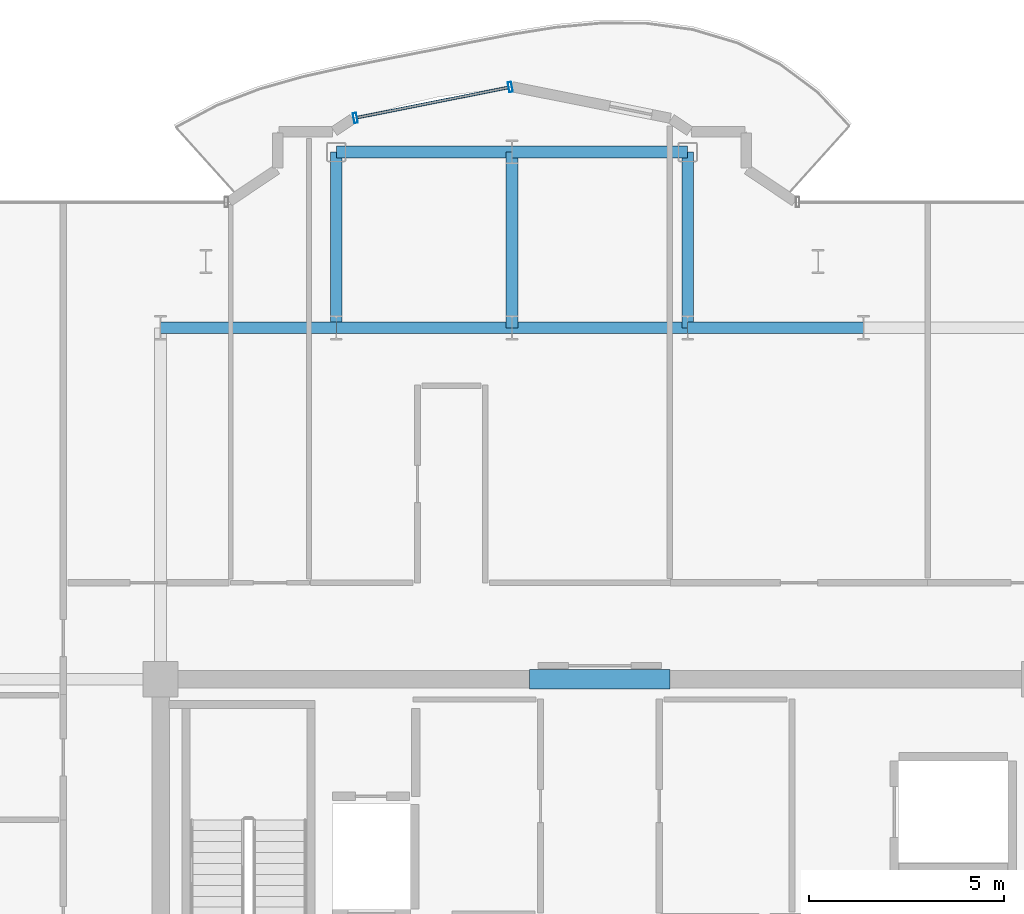
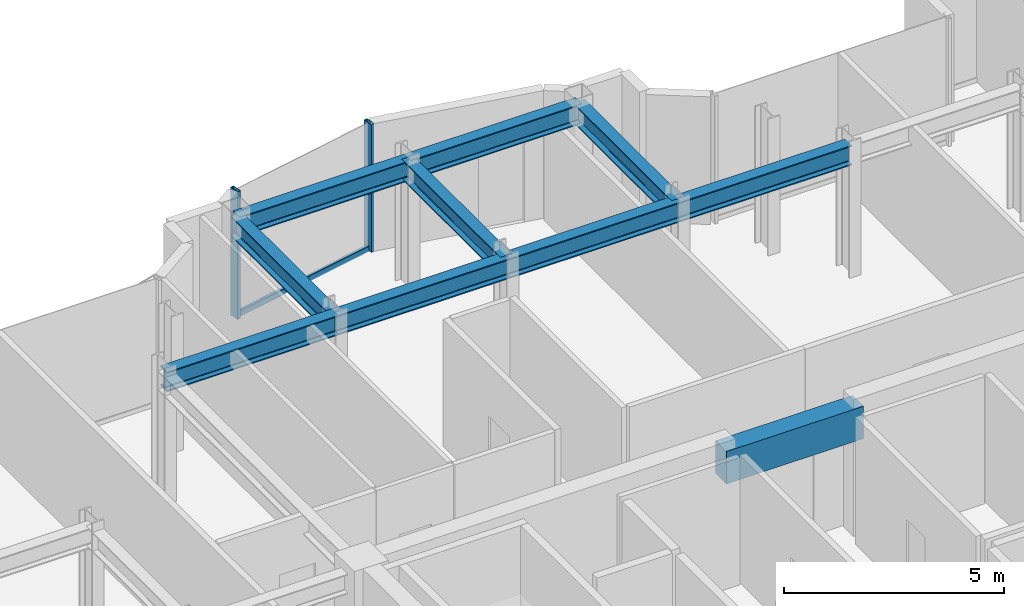
# One storey, part 10 of 18: 10 beams, 3 members, 1 element without a shape of its own.
"""IFC4 building model written with IfcOpenShell, lengths in metres."""

from ifc_helpers import new_model, si_unit, direction, frame, origin, origin_2d, place, context, subcontext, project, spatial, rectangle, hollow_rectangle, i_section, extrude, source, transform, mapped, material, layer, layer_set, material_profile, profile_set, type_object, element, aggregate, save


model = new_model("IFC4")

# Units and contexts
model_context = context("Model", 3, precision=1e-05, world=origin(), true_north=direction((0.0, 1.0)))
body_context = subcontext(model_context, "Body", "Model", "MODEL_VIEW")
ifc_project = project(units=[si_unit("LENGTHUNIT", "METRE"), si_unit("AREAUNIT", "SQUARE_METRE"), si_unit("VOLUMEUNIT", "CUBIC_METRE"), si_unit("PLANEANGLEUNIT", "RADIAN"), si_unit("MASSUNIT", "GRAM", prefix="KILO")], contexts=[model_context])

# Site, building, storey
site_placement = place(None, origin())
site = spatial("IfcSite", under=ifc_project, at=site_placement, CompositionType="ELEMENT")
building_placement = place(site_placement, origin())
building = spatial("IfcBuilding", under=site, at=building_placement, Name="Nefas-Gora Pilgrimage Tower", CompositionType="ELEMENT")
storey_placement = place(building_placement, frame((0.0, 0.0, 302.60009765625)))
storey = spatial("IfcBuildingStorey", under=building, at=storey_placement, Name="L76", CompositionType="ELEMENT", Elevation=302.60009765625)

# Beams
ifc_material_1 = material(Name="Concrete C50/60", Category="concrete")
ifc_material_profile_1 = material_profile(ifc_material_1, rectangle(XDim=0.5, YDim=0.89990234375, at=origin_2d()), Name="RC 500x900")
ifc_profile_set_1 = profile_set([ifc_material_profile_1], Name="Concrete C50/60")
beam_type_1 = type_object("IfcBeamType", Name="BM-LIN-RC900", PredefinedType="LINTEL", material=ifc_profile_set_1)
shared_shape_1 = source(origin(), body_context, "Body", "SweptSolid", [
    extrude(rectangle(XDim=0.5, YDim=0.89990234375, at=origin_2d()), origin(), (0.0, 0.0, 1.0), 3.60009765625),
])
beam_placement = place(storey_placement, frame((-1.800048828125, 9.0, 3.099853515625), z_axis=(1.0, 0.0, 0.0), x_axis=(0.0, 1.0, 0.0)))
element("IfcBeam", 1, at=beam_placement, inside=storey, type_object=beam_type_1, Name="L76 Core Coupling Lintel Beam N", PredefinedType="LINTEL", context=body_context, shape_type="MappedRepresentation", body=[
    mapped(shared_shape_1, transform((0.0, 0.0, 0.0), x_axis=(1.0, 0.0, 0.0), y_axis=(0.0, 1.0, 0.0), z_axis=(0.0, 0.0, 1.0), scale=1.0)),
])
ifc_material_2 = material(Name="Steel S355", Category="steel")
ifc_material_profile_2 = material_profile(ifc_material_2, i_section(OverallWidth=0.300048828125, OverallDepth=0.550048828125, WebThickness=0.014892578125, FlangeThickness=0.029052734375, FilletRadius=0.027099609375, at=origin_2d()), Name="HEB 550")
ifc_profile_set_2 = profile_set([ifc_material_profile_2], Name="Steel S355")
beam_type_2 = type_object("IfcBeamType", Name="BM-GIR-HEB550", PredefinedType="BEAM", material=ifc_profile_set_2)
shared_shape_2 = source(origin(), body_context, "Body", "SweptSolid", [
    extrude(i_section(OverallWidth=0.300048828125, OverallDepth=0.550048828125, WebThickness=0.014892578125, FlangeThickness=0.029052734375, FilletRadius=0.027099609375, at=origin_2d()), origin(), (0.0, 0.0, 1.0), 4.5),
])
for number, where, z_axis, x_axis, name in (
    (2, (-11.25, 18.0, 3.27490234375), (1.0, 0.0, 0.0), (0.0, 1.0, 0.0), "L76 G-05 beam"),
    (3, (-6.75, 18.0, 3.27490234375), (0.0, 1.0, 0.0), (-1.0, 0.0, 0.0), "L76 G-05 beam"),
    (4, (-6.75, 18.0, 3.27490234375), (1.0, 0.0, 0.0), (0.0, 1.0, 0.0), "L76 G-05 beam"),
    (5, (-6.75, 22.5, 3.27490234375), (1.0, 0.0, 0.0), (0.0, 1.0, 0.0), "L76 G-05 beam"),
    (6, (-2.25, 18.0, 3.27490234375), (0.0, 1.0, 0.0), (-1.0, 0.0, 0.0), "L76 G-05 beam"),
    (7, (-2.25, 18.0, 3.27490234375), (1.0, 0.0, 0.0), (0.0, 1.0, 0.0), "L76 G-05 beam"),
    (8, (-2.25, 22.5, 3.27490234375), (1.0, 0.0, 0.0), (0.0, 1.0, 0.0), "L76 G-05 beam"),
    (9, (2.25, 18.0, 3.27490234375), (0.0, 1.0, 0.0), (-1.0, 0.0, 0.0), "L76 G-05 beam"),
    (10, (2.25, 18.0, 3.27490234375), (1.0, 0.0, 0.0), (0.0, 1.0, 0.0), "L76 G-05 beam"),
):
    element("IfcBeam", number, at=place(storey_placement, frame(where, z_axis=z_axis, x_axis=x_axis)), inside=storey, type_object=beam_type_2, Name=name, PredefinedType="BEAM", context=body_context, shape_type="MappedRepresentation", body=[
        mapped(shared_shape_2, transform((0.0, 0.0, 0.0), x_axis=(1.0, 0.0, 0.0), y_axis=(0.0, 1.0, 0.0), z_axis=(0.0, 0.0, 1.0), scale=1.0)),
    ])

# Curtain wall, members
ifc_material_3 = material(Name="Dark ceramic-fritted solar-control aluminium-glass curtain wall", Category="aluminium")
ifc_layer = layer(ifc_material_3, 0.219970703125)
ifc_layer_set = layer_set([ifc_layer], Name="Dark ceramic-fritted solar-control aluminium-glass curtain wall")
curtain_wall_type = type_object("IfcCurtainWallType", Name="CW-SYS-5", PredefinedType="NOTDEFINED", material=ifc_layer_set)
curtain_wall_placement = place(storey_placement, origin())
curtain_wall = element("IfcCurtainWall", 11, at=curtain_wall_placement, inside=storey, type_object=curtain_wall_type, Name="L76 Unitised Curtain Wall CW5", PredefinedType="NOTDEFINED")
ifc_material_4 = material(Name="Anodised architectural aluminium", Category="aluminium")
ifc_material_profile_3 = material_profile(ifc_material_4, hollow_rectangle(XDim=0.080078125, YDim=0.159912109375, WallThickness=0.00439453125, InnerFilletRadius=0.00439453125, OuterFilletRadius=0.009033203125, at=origin_2d()), Name="ALU TRANSOM 80x160")
ifc_profile_set_3 = profile_set([ifc_material_profile_3], Name="Anodised architectural aluminium")
member_type_1 = type_object("IfcMemberType", Name="CWM-TRN-5", PredefinedType="USERDEFINED", material=ifc_profile_set_3)
shared_shape_3 = source(origin(), body_context, "Body", "SweptSolid", [
    extrude(hollow_rectangle(XDim=0.080078125, YDim=0.159912109375, WallThickness=0.00439453125, InnerFilletRadius=0.00439453125, OuterFilletRadius=0.009033203125, at=origin_2d()), origin(), (0.0, 0.0, 1.0), 3.95654296875),
])
member_1_placement = place(storey_placement, frame((-2.33837890625, 24.15478515625, 0.0498046875), z_axis=(-0.980781880918, -0.195107411605, 0.0), x_axis=(0.195107411605, -0.980781880918, 0.0)))
member_1 = element("IfcMember", 12, at=member_1_placement, type_object=member_type_1, Name="CW5 Spandrel Transom", ObjectType="TRANSOM", PredefinedType="USERDEFINED", context=body_context, shape_type="MappedRepresentation", body=[
    mapped(shared_shape_3, transform((0.0, 0.0, 0.0), x_axis=(1.0, 0.0, 0.0), y_axis=(0.0, 1.0, 0.0), z_axis=(0.0, 0.0, 1.0), scale=1.0)),
])
ifc_material_profile_4 = material_profile(ifc_material_4, hollow_rectangle(XDim=0.090087890625, YDim=0.260009765625, WallThickness=0.006103515625, InnerFilletRadius=0.006103515625, OuterFilletRadius=0.011962890625, at=origin_2d()), Name="ALU MULLION 90x260")
ifc_profile_set_4 = profile_set([ifc_material_profile_4], Name="Anodised architectural aluminium")
member_type_2 = type_object("IfcMemberType", Name="CWM-MUL-5", PredefinedType="MULLION", material=ifc_profile_set_4)
shared_shape_4 = source(origin(), body_context, "Body", "SweptSolid", [
    extrude(hollow_rectangle(XDim=0.090087890625, YDim=0.260009765625, WallThickness=0.006103515625, InnerFilletRadius=0.006103515625, OuterFilletRadius=0.011962890625, at=origin_2d()), origin(), (0.0, 0.0, 1.0), 3.5498046875),
])
member_2_placement = place(storey_placement, frame((-2.294189453125, 24.16357421875, 0.0), z_axis=(0.0, 0.0, 1.0), x_axis=(-0.980782896852, -0.195102304554, 0.0)))
member_2 = element("IfcMember", 13, at=member_2_placement, type_object=member_type_2, Name="CW5 Mullion 1", PredefinedType="MULLION", context=body_context, shape_type="MappedRepresentation", body=[
    mapped(shared_shape_4, transform((0.0, 0.0, 0.0), x_axis=(1.0, 0.0, 0.0), y_axis=(0.0, 1.0, 0.0), z_axis=(0.0, 0.0, 1.0), scale=1.0)),
])
member_3_placement = place(storey_placement, frame((-6.26318359375, 23.3740234375, 0.0), z_axis=(0.0, 0.0, 1.0), x_axis=(-0.980782896852, -0.195102304554, 0.0)))
member_3 = element("IfcMember", 14, at=member_3_placement, type_object=member_type_2, Name="CW5 Mullion 2", PredefinedType="MULLION", context=body_context, shape_type="MappedRepresentation", body=[
    mapped(shared_shape_4, transform((0.0, 0.0, 0.0), x_axis=(1.0, 0.0, 0.0), y_axis=(0.0, 1.0, 0.0), z_axis=(0.0, 0.0, 1.0), scale=1.0)),
])
aggregate(curtain_wall, [member_2, member_3, member_1])

save(model, "model.ifc")
